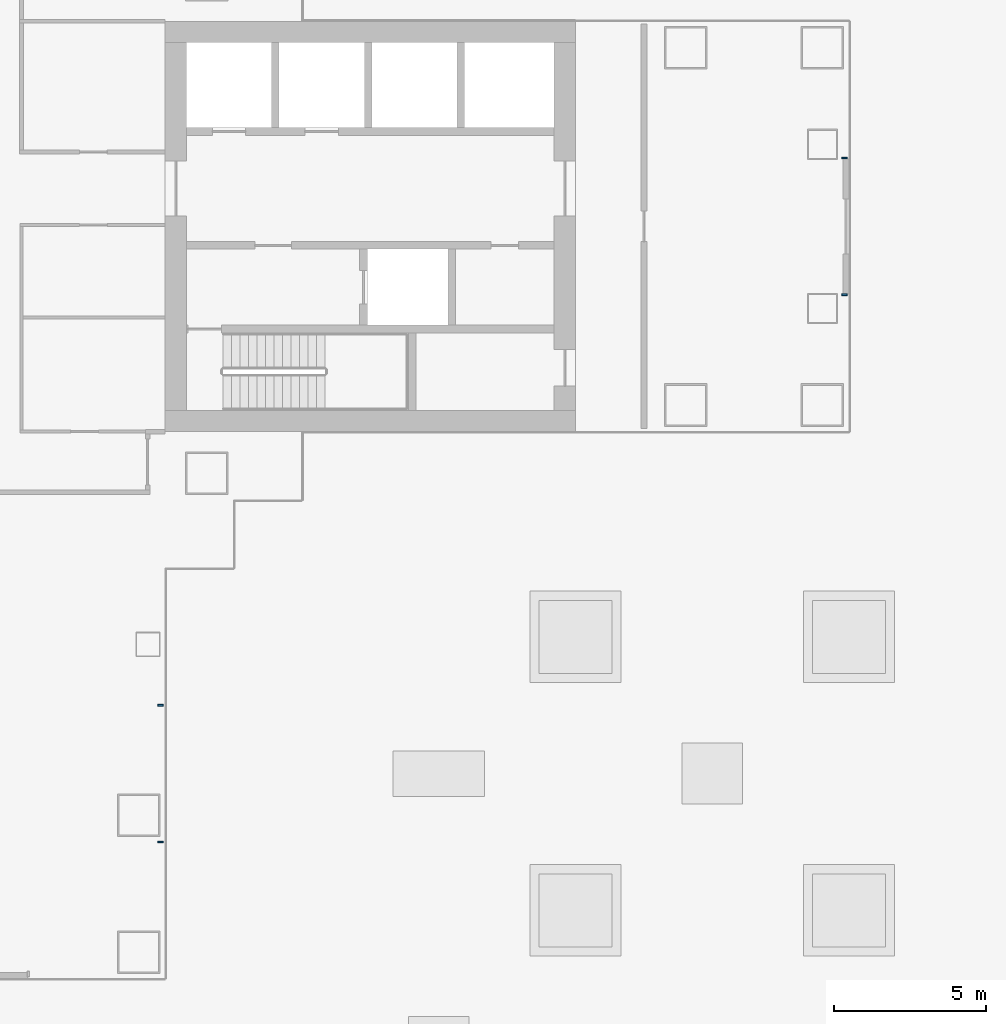
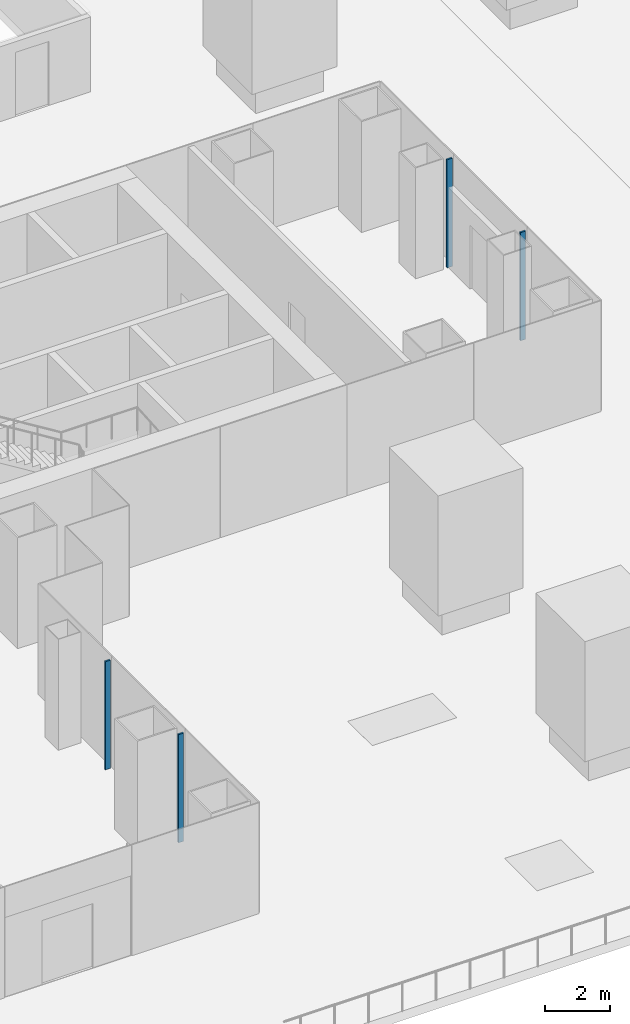
# One storey, part 5 of 23: 4 members, 2 elements without a shape of their own.
"""IFC4 building model written with IfcOpenShell, lengths in metres."""

from ifc_helpers import new_model, si_unit, direction, frame, origin, origin_2d, place, context, subcontext, project, spatial, rectangle, extrude, material, layer, layer_set, material_profile, profile_set, type_object, element, aggregate, save


model = new_model("IFC4")

# Units and contexts
model_context = context("Model", 3, precision=1e-05, world=origin(), true_north=direction((0.0, 1.0)))
body_context = subcontext(model_context, "Body", "Model", "MODEL_VIEW")
ifc_project = project(units=[si_unit("LENGTHUNIT", "METRE"), si_unit("AREAUNIT", "SQUARE_METRE"), si_unit("VOLUMEUNIT", "CUBIC_METRE"), si_unit("PLANEANGLEUNIT", "RADIAN"), si_unit("MASSUNIT", "GRAM", prefix="KILO")], contexts=[model_context])

# Site, building, storey
site_placement = place(None, origin())
site = spatial("IfcSite", under=ifc_project, at=site_placement, CompositionType="ELEMENT")
building_placement = place(site_placement, origin())
building = spatial("IfcBuilding", under=site, at=building_placement, Name="Shamsa Quay Exchange Towers", CompositionType="ELEMENT")
storey_placement = place(building_placement, frame((0.0, 0.0, 28.5)))
storey = spatial("IfcBuildingStorey", under=building, at=storey_placement, Name="L05", CompositionType="ELEMENT", Elevation=28.5)

# Curtain wall, members
ifc_material = material(Name="Aluminium EN AW-6063 T6, black anodised", Category="aluminium")
ifc_layer = layer(ifc_material, 0.280029296875)
ifc_layer_set = layer_set([ifc_layer], Name="CW-1 UNITISED VISION GLASS")
curtain_wall_type = type_object("IfcCurtainWallType", Name="CW-1 UNITISED VISION GLASS", PredefinedType="NOTDEFINED", material=ifc_layer_set)
curtain_wall_1_placement = place(storey_placement, origin())
curtain_wall_1 = element("IfcCurtainWall", 1, at=curtain_wall_1_placement, inside=storey, type_object=curtain_wall_type, Name="CW1 T1-FLK-V-E L05", PredefinedType="NOTDEFINED")
ifc_material_profile = material_profile(ifc_material, rectangle(XDim=0.179931640625, YDim=0.06005859375, at=origin_2d()), Name="MU60x180")
ifc_profile_set = profile_set([ifc_material_profile], Name="Aluminium EN AW-6063 T6, black anodised")
member_type = type_object("IfcMemberType", Name="CW1 MULLION 60x180", PredefinedType="MULLION", material=ifc_profile_set)
member_1_placement = place(storey_placement, frame((-27.14990234375, -20.25, 0.0), z_axis=(0.0, 0.0, 1.0), x_axis=(-1.0, 0.0, 0.0)))
member_1 = element("IfcMember", 2, at=member_1_placement, type_object=member_type, Name="CW1 mullion", PredefinedType="MULLION", context=body_context, shape_type="SweptSolid", body=[
    extrude(rectangle(XDim=0.179931640625, YDim=0.06005859375, at=origin_2d()), origin(), (0.0, 0.0, 1.0), 4.050048828125),
])
member_2_placement = place(storey_placement, frame((-27.14990234375, -15.75, 0.0), z_axis=(0.0, 0.0, 1.0), x_axis=(-1.0, 0.0, 0.0)))
member_2 = element("IfcMember", 3, at=member_2_placement, type_object=member_type, Name="CW1 mullion", PredefinedType="MULLION", context=body_context, shape_type="SweptSolid", body=[
    extrude(rectangle(XDim=0.179931640625, YDim=0.06005859375, at=origin_2d()), origin(), (0.0, 0.0, 1.0), 4.050048828125),
])
aggregate(curtain_wall_1, [member_1, member_2])

curtain_wall_2_placement = place(storey_placement, origin())
curtain_wall_2 = element("IfcCurtainWall", 4, at=curtain_wall_2_placement, inside=storey, type_object=curtain_wall_type, Name="CW1 T1-END-U+ L05", PredefinedType="NOTDEFINED")
member_3_placement = place(storey_placement, frame((-4.64990234375, -2.25, 0.0), z_axis=(0.0, 0.0, 1.0), x_axis=(-1.0, 0.0, 0.0)))
member_3 = element("IfcMember", 5, at=member_3_placement, type_object=member_type, Name="CW1 mullion", PredefinedType="MULLION", context=body_context, shape_type="SweptSolid", body=[
    extrude(rectangle(XDim=0.179931640625, YDim=0.06005859375, at=origin_2d()), origin(), (0.0, 0.0, 1.0), 4.050048828125),
])
member_4_placement = place(storey_placement, frame((-4.64990234375, 2.25, 0.0), z_axis=(0.0, 0.0, 1.0), x_axis=(-1.0, 0.0, 0.0)))
member_4 = element("IfcMember", 6, at=member_4_placement, type_object=member_type, Name="CW1 mullion", PredefinedType="MULLION", context=body_context, shape_type="SweptSolid", body=[
    extrude(rectangle(XDim=0.179931640625, YDim=0.06005859375, at=origin_2d()), origin(), (0.0, 0.0, 1.0), 4.050048828125),
])
aggregate(curtain_wall_2, [member_3, member_4])

save(model, "model.ifc")
